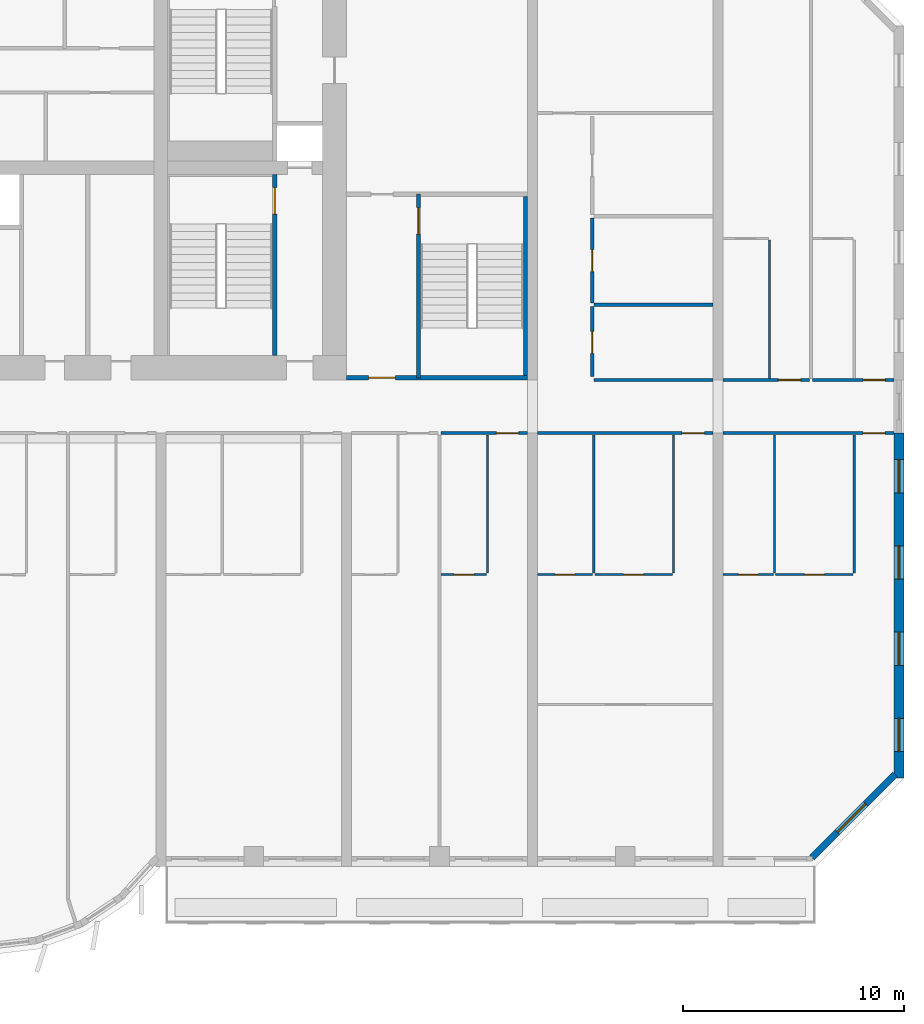
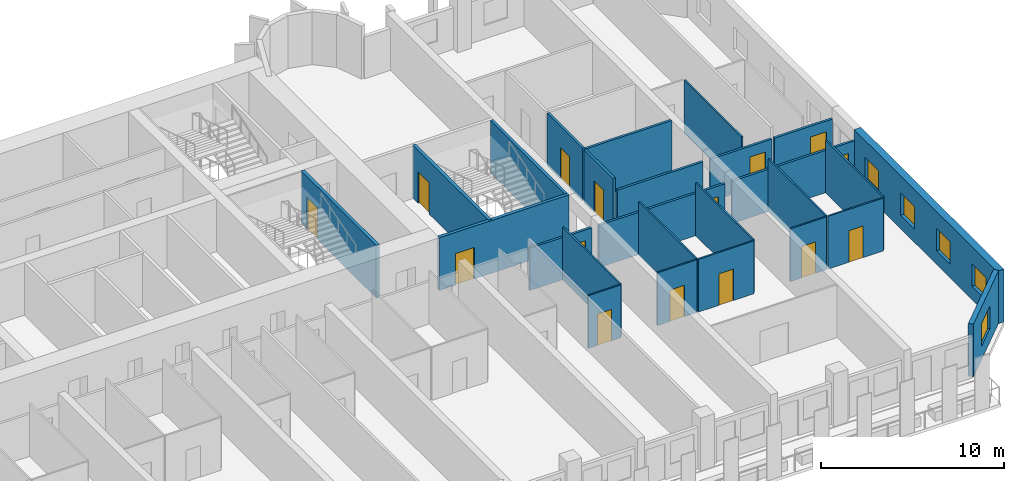
# One storey, part 9 of 15: 26 walls, 15 doors, 5 windows, 20 openings.
"""IFC4 building model written with IfcOpenShell, lengths in metres."""

from ifc_helpers import new_model, si_unit, direction, frame, frame_2d, origin, place, context, subcontext, project, spatial, rectangle, extrude, source, transform, mapped, material, layer, layer_set, type_object, element, fill, save


model = new_model("IFC4")

# Units and contexts
model_context = context("Model", 3, precision=1e-05, world=origin(), true_north=direction((0.0, 1.0)))
body_context = subcontext(model_context, "Body", "Model", "MODEL_VIEW")
ifc_project = project(units=[si_unit("LENGTHUNIT", "METRE"), si_unit("AREAUNIT", "SQUARE_METRE"), si_unit("VOLUMEUNIT", "CUBIC_METRE"), si_unit("PLANEANGLEUNIT", "RADIAN"), si_unit("MASSUNIT", "GRAM", prefix="KILO")], contexts=[model_context])

# Site, building, storey
site_placement = place(None, origin())
site = spatial("IfcSite", under=ifc_project, at=site_placement, CompositionType="ELEMENT")
building_placement = place(site_placement, origin())
building = spatial("IfcBuilding", under=site, at=building_placement, Name="Vanashikhar Sky Hotel", CompositionType="ELEMENT")
storey_placement = place(building_placement, frame((0.0, 0.0, 39.199951171875)))
storey = spatial("IfcBuildingStorey", under=building, at=storey_placement, Name="L08", CompositionType="ELEMENT", Elevation=39.199951171875)

# Wall, openings, windows
ifc_material_1 = material(Name="Concrete M80", Category="concrete")
ifc_layer_1 = layer(ifc_material_1, 0.449951171875)
ifc_layer_set_1 = layer_set([ifc_layer_1], Name="RC shear wall 450 Concrete M80")
wall_type_1 = type_object("IfcWallType", Name="RC shear wall 450 Concrete M80", PredefinedType="SHEAR", material=ifc_layer_set_1)
shared_shape_1 = source(origin(), body_context, "Body", "SweptSolid", [
    extrude(rectangle(XDim=15.60009765625, YDim=0.449951171875, at=frame_2d((7.800048828125, 0.0))), origin(), (0.0, 0.0, 1.0), 3.52001953125),
])
wall_1_placement = place(storey_placement, frame((100.574951171875, 4.0, 0.0), z_axis=(0.0, 0.0, 1.0), x_axis=(0.0, 1.0, 0.0)))
wall_1 = element("IfcWall", 1, at=wall_1_placement, inside=storey, type_object=wall_type_1, Name="CW-L08-XW13-1", PredefinedType="SHEAR", context=body_context, shape_type="MappedRepresentation", body=[
    mapped(shared_shape_1, transform((0.0, 0.0, 0.0), scale=1.0)),
])
shared_shape_2 = source(origin(), body_context, "Body", "SweptSolid", [
    extrude(rectangle(XDim=1.5, YDim=1.5, at=frame_2d((0.75, 0.75))), frame((0.0, 0.23486328125, 0.0), z_axis=(0.0, -1.0, 0.0), x_axis=(1.0, 0.0, 0.0)), (0.0, 0.0, 1.0), 0.469970703125),
])
opening_1_placement = place(wall_1_placement, frame((1.199951171875, 0.0, 0.89990234375)))
opening_1 = element("IfcOpeningElement", 2, at=opening_1_placement, cuts=wall_1, Name="Opening WN-1", PredefinedType="OPENING", context=body_context, shape_type="MappedRepresentation", body=[
    mapped(shared_shape_2, transform((0.0, 0.0, 0.0), scale=1.0)),
])
opening_2_placement = place(wall_1_placement, frame((5.10009765625, 0.0, 0.89990234375)))
opening_2 = element("IfcOpeningElement", 3, at=opening_2_placement, cuts=wall_1, Name="Opening WN-1", PredefinedType="OPENING", context=body_context, shape_type="MappedRepresentation", body=[
    mapped(shared_shape_2, transform((0.0, 0.0, 0.0), scale=1.0)),
])
opening_3_placement = place(wall_1_placement, frame((9.0, 0.0, 0.89990234375)))
opening_3 = element("IfcOpeningElement", 4, at=opening_3_placement, cuts=wall_1, Name="Opening WN-1", PredefinedType="OPENING", context=body_context, shape_type="MappedRepresentation", body=[
    mapped(shared_shape_2, transform((0.0, 0.0, 0.0), scale=1.0)),
])
opening_4_placement = place(wall_1_placement, frame((12.89990234375, 0.0, 0.89990234375)))
opening_4 = element("IfcOpeningElement", 5, at=opening_4_placement, cuts=wall_1, Name="Opening WN-1", PredefinedType="OPENING", context=body_context, shape_type="MappedRepresentation", body=[
    mapped(shared_shape_2, transform((0.0, 0.0, 0.0), scale=1.0)),
])
ifc_material_2 = material(Name="Glass", Category="glass")
window_type_1 = type_object("IfcWindowType", Name="Window 1500 x 1500", PartitioningType="SINGLE_PANEL", PredefinedType="WINDOW", material=ifc_material_2)
shared_shape_3 = source(origin(), body_context, "Body", "SweptSolid", [
    extrude(rectangle(XDim=1.5, YDim=1.5, at=frame_2d((0.75, 0.75))), frame((0.0, 0.030029296875, 0.0), z_axis=(0.0, -1.0, 0.0), x_axis=(1.0, 0.0, 0.0)), (0.0, 0.0, 1.0), 0.06005859375),
])
window_1_placement = place(opening_1_placement, origin())
window_1 = element("IfcWindow", 6, at=window_1_placement, inside=storey, type_object=window_type_1, Name="Window WN-1", OverallHeight=1.5, OverallWidth=1.5, PartitioningType="SINGLE_PANEL", PredefinedType="WINDOW", context=body_context, shape_type="MappedRepresentation", body=[
    mapped(shared_shape_3, transform((0.0, 0.0, 0.0), scale=1.0)),
])
fill(opening_1, window_1)
window_2_placement = place(opening_2_placement, origin())
window_2 = element("IfcWindow", 7, at=window_2_placement, inside=storey, type_object=window_type_1, Name="Window WN-1", OverallHeight=1.5, OverallWidth=1.5, PartitioningType="SINGLE_PANEL", PredefinedType="WINDOW", context=body_context, shape_type="MappedRepresentation", body=[
    mapped(shared_shape_3, transform((0.0, 0.0, 0.0), scale=1.0)),
])
fill(opening_2, window_2)
window_3_placement = place(opening_3_placement, origin())
window_3 = element("IfcWindow", 8, at=window_3_placement, inside=storey, type_object=window_type_1, Name="Window WN-1", OverallHeight=1.5, OverallWidth=1.5, PartitioningType="SINGLE_PANEL", PredefinedType="WINDOW", context=body_context, shape_type="MappedRepresentation", body=[
    mapped(shared_shape_3, transform((0.0, 0.0, 0.0), scale=1.0)),
])
fill(opening_3, window_3)
window_4_placement = place(opening_4_placement, origin())
window_4 = element("IfcWindow", 9, at=window_4_placement, inside=storey, type_object=window_type_1, Name="Window WN-1", OverallHeight=1.5, OverallWidth=1.5, PartitioningType="SINGLE_PANEL", PredefinedType="WINDOW", context=body_context, shape_type="MappedRepresentation", body=[
    mapped(shared_shape_3, transform((0.0, 0.0, 0.0), scale=1.0)),
])
fill(opening_4, window_4)

# Wall, opening, window
ifc_material_3 = material(Name="Concrete M50", Category="concrete")
ifc_layer_2 = layer(ifc_material_3, 0.300048828125)
ifc_layer_set_2 = layer_set([ifc_layer_2], Name="Lobe wall 300")
wall_type_2 = type_object("IfcWallType", Name="Lobe wall 300", PredefinedType="SOLIDWALL", material=ifc_layer_set_2)
shared_shape_4 = source(origin(), body_context, "Body", "SweptSolid", [
    extrude(rectangle(XDim=5.32568359375, YDim=0.300048828125, at=frame_2d((2.662841796875, 0.0))), origin(), (0.0, 0.0, 1.0), 3.52001953125),
])
wall_2_placement = place(storey_placement, frame((96.63427734375, 0.39990234375, 0.0), z_axis=(0.0, 0.0, 1.0), x_axis=(0.707083859269, 0.707129702361, 0.0)))
wall_2 = element("IfcWall", 10, at=wall_2_placement, inside=storey, type_object=wall_type_2, Name="Corner wall", PredefinedType="SOLIDWALL", context=body_context, shape_type="MappedRepresentation", body=[
    mapped(shared_shape_4, transform((0.0, 0.0, 0.0), scale=1.0)),
])
shared_shape_5 = source(origin(), body_context, "Body", "SweptSolid", [
    extrude(rectangle(XDim=1.800048828125, YDim=1.5, at=frame_2d((0.89990234375, 0.75))), frame((0.0, 0.16015625, 0.0), z_axis=(0.0, -1.0, 0.0), x_axis=(1.0, 0.0, 0.0)), (0.0, 0.0, 1.0), 0.320068359375),
])
opening_5_placement = place(wall_2_placement, frame((1.636474609375, 0.0, 0.89990234375)))
opening_5 = element("IfcOpeningElement", 11, at=opening_5_placement, cuts=wall_2, Name="Opening WN-4", PredefinedType="OPENING", context=body_context, shape_type="MappedRepresentation", body=[
    mapped(shared_shape_5, transform((0.0, 0.0, 0.0), scale=1.0)),
])
window_type_2 = type_object("IfcWindowType", Name="Corner window 1800 x 1500", PartitioningType="SINGLE_PANEL", PredefinedType="WINDOW", material=ifc_material_2)
shared_shape_6 = source(origin(), body_context, "Body", "SweptSolid", [
    extrude(rectangle(XDim=1.800048828125, YDim=1.5, at=frame_2d((0.89990234375, 0.75))), frame((0.0, 0.030029296875, 0.0), z_axis=(0.0, -1.0, 0.0), x_axis=(1.0, 0.0, 0.0)), (0.0, 0.0, 1.0), 0.06005859375),
])
window_5_placement = place(opening_5_placement, origin())
window_5 = element("IfcWindow", 12, at=window_5_placement, inside=storey, type_object=window_type_2, Name="Window WN-4", OverallHeight=1.5, OverallWidth=1.800048828125, PartitioningType="SINGLE_PANEL", PredefinedType="WINDOW", context=body_context, shape_type="MappedRepresentation", body=[
    mapped(shared_shape_6, transform((0.0, 0.0, 0.0), scale=1.0)),
])
fill(opening_5, window_5)

# Wall, opening, door
ifc_layer_3 = layer(ifc_material_3, 0.199951171875)
ifc_layer_set_3 = layer_set([ifc_layer_3], Name="Stair wall 200")
wall_type_3 = type_object("IfcWallType", Name="Stair wall 200", PredefinedType="SOLIDWALL", material=ifc_layer_set_3)
shared_shape_7 = source(origin(), body_context, "Body", "SweptSolid", [
    extrude(rectangle(XDim=8.199951171875, YDim=0.199951171875, at=frame_2d((4.10009765625, 0.0))), origin(), (0.0, 0.0, 1.0), 3.52001953125),
])
wall_3_placement = place(storey_placement, frame((72.35009765625, 23.10009765625, 0.0), z_axis=(0.0, 0.0, 1.0), x_axis=(0.0, 1.0, 0.0)))
wall_3 = element("IfcWall", 13, at=wall_3_placement, inside=storey, type_object=wall_type_3, Name="Stair wall 200", PredefinedType="SOLIDWALL", context=body_context, shape_type="MappedRepresentation", body=[
    mapped(shared_shape_7, transform((0.0, 0.0, 0.0), scale=1.0)),
])
shared_shape_8 = source(origin(), body_context, "Body", "SweptSolid", [
    extrude(rectangle(XDim=1.199951171875, YDim=2.10009765625, at=frame_2d((0.60009765625, 1.050048828125))), frame((0.0, 0.10986328125, 0.0), z_axis=(0.0, -1.0, 0.0), x_axis=(1.0, 0.0, 0.0)), (0.0, 0.0, 1.0), 0.219970703125),
])
opening_6_placement = place(wall_3_placement, frame((6.39990234375, 0.0, 0.0)))
opening_6 = element("IfcOpeningElement", 14, at=opening_6_placement, cuts=wall_3, Name="Opening DC-1", PredefinedType="OPENING", context=body_context, shape_type="MappedRepresentation", body=[
    mapped(shared_shape_8, transform((0.0, 0.0, 0.0), scale=1.0)),
])
ifc_material_4 = material(Name="Steel", Category="steel")
door_type_1 = type_object("IfcDoorType", Name="Stair door 1200 FD120", OperationType="NOTDEFINED", PredefinedType="DOOR", material=ifc_material_4)
shared_shape_9 = source(origin(), body_context, "Body", "SweptSolid", [
    extrude(rectangle(XDim=1.199951171875, YDim=2.10009765625, at=frame_2d((0.60009765625, 1.050048828125))), frame((0.0, 0.02490234375, 0.0), z_axis=(0.0, -1.0, 0.0), x_axis=(1.0, 0.0, 0.0)), (0.0, 0.0, 1.0), 0.050048828125),
])
door_1_placement = place(opening_6_placement, origin())
door_1 = element("IfcDoor", 15, at=door_1_placement, inside=storey, type_object=door_type_1, Name="Stair door 1200 FD120", OperationType="SINGLE_SWING_LEFT", OverallHeight=2.10009765625, OverallWidth=1.199951171875, PredefinedType="DOOR", context=body_context, shape_type="MappedRepresentation", body=[
    mapped(shared_shape_9, transform((0.0, 0.0, 0.0), scale=1.0)),
])
fill(opening_6, door_1)

shared_shape_10 = source(origin(), body_context, "Body", "SweptSolid", [
    extrude(rectangle(XDim=8.2998046875, YDim=0.199951171875, at=frame_2d((4.14990234375, 0.0))), origin(), (0.0, 0.0, 1.0), 3.52001953125),
])
wall_4_placement = place(storey_placement, frame((78.85009765625, 22.10009765625, 0.0), z_axis=(0.0, 0.0, 1.0), x_axis=(0.0, 1.0, 0.0)))
wall_4 = element("IfcWall", 16, at=wall_4_placement, inside=storey, type_object=wall_type_3, Name="Stair wall 200", PredefinedType="SOLIDWALL", context=body_context, shape_type="MappedRepresentation", body=[
    mapped(shared_shape_10, transform((0.0, 0.0, 0.0), scale=1.0)),
])
opening_7_placement = place(wall_4_placement, frame((6.5, 0.0, 0.0)))
opening_7 = element("IfcOpeningElement", 17, at=opening_7_placement, cuts=wall_4, Name="Opening DC-1", PredefinedType="OPENING", context=body_context, shape_type="MappedRepresentation", body=[
    mapped(shared_shape_8, transform((0.0, 0.0, 0.0), scale=1.0)),
])
door_2_placement = place(opening_7_placement, origin())
door_2 = element("IfcDoor", 18, at=door_2_placement, inside=storey, type_object=door_type_1, Name="Stair door 1200 FD120", OperationType="SINGLE_SWING_RIGHT", OverallHeight=2.10009765625, OverallWidth=1.199951171875, PredefinedType="DOOR", context=body_context, shape_type="MappedRepresentation", body=[
    mapped(shared_shape_9, transform((0.0, 0.0, 0.0), scale=1.0)),
])
fill(opening_7, door_2)

shared_shape_11 = source(origin(), body_context, "Body", "SweptSolid", [
    extrude(rectangle(XDim=8.1748046875, YDim=0.199951171875, at=frame_2d((4.08740234375, 0.0))), origin(), (0.0, 0.0, 1.0), 3.52001953125),
])
wall_5_placement = place(storey_placement, frame((83.77490234375, 22.10009765625, 0.0), z_axis=(0.0, 0.0, 1.0), x_axis=(-1.0, 0.0, 0.0)))
wall_5 = element("IfcWall", 19, at=wall_5_placement, inside=storey, type_object=wall_type_3, Name="Stair wall 200", PredefinedType="SOLIDWALL", context=body_context, shape_type="MappedRepresentation", body=[
    mapped(shared_shape_11, transform((0.0, 0.0, 0.0), scale=1.0)),
])
opening_8_placement = place(wall_5_placement, frame((5.97509765625, 0.0, 0.0)))
opening_8 = element("IfcOpeningElement", 20, at=opening_8_placement, cuts=wall_5, Name="Opening DC-2", PredefinedType="OPENING", context=body_context, shape_type="MappedRepresentation", body=[
    mapped(shared_shape_8, transform((0.0, 0.0, 0.0), scale=1.0)),
])
door_type_2 = type_object("IfcDoorType", Name="Firefighting lobby door 1200 FD120", OperationType="NOTDEFINED", PredefinedType="DOOR", material=ifc_material_4)
door_3_placement = place(opening_8_placement, origin())
door_3 = element("IfcDoor", 21, at=door_3_placement, inside=storey, type_object=door_type_2, Name="Firefighting lobby door 1200 FD120", OperationType="SINGLE_SWING_RIGHT", OverallHeight=2.10009765625, OverallWidth=1.199951171875, PredefinedType="DOOR", context=body_context, shape_type="MappedRepresentation", body=[
    mapped(shared_shape_9, transform((0.0, 0.0, 0.0), scale=1.0)),
])
fill(opening_8, door_3)

# Wall
ifc_layer_4 = layer(ifc_material_3, 0.175048828125)
ifc_layer_set_4 = layer_set([ifc_layer_4], Name="Stair infill wall 175")
wall_type_4 = type_object("IfcWallType", Name="Stair infill wall 175", PredefinedType="SOLIDWALL", material=ifc_layer_set_4)
shared_shape_12 = source(origin(), body_context, "Body", "SweptSolid", [
    extrude(rectangle(XDim=8.10009765625, YDim=0.175048828125, at=frame_2d((4.050048828125, 0.0))), origin(), (0.0, 0.0, 1.0), 3.52001953125),
])
wall_6_placement = place(storey_placement, frame((83.68798828125, 22.199951171875, 0.0), z_axis=(0.0, 0.0, 1.0), x_axis=(0.0, 1.0, 0.0)))
element("IfcWall", 22, at=wall_6_placement, inside=storey, type_object=wall_type_4, Name="Stair infill wall 175", PredefinedType="SOLIDWALL", context=body_context, shape_type="MappedRepresentation", body=[
    mapped(shared_shape_12, transform((0.0, 0.0, 0.0), scale=1.0)),
])

# Wall, opening, door
ifc_material_5 = material(Name="Gypsum plasterboard partition")
ifc_layer_5 = layer(ifc_material_5, 0.14990234375)
ifc_layer_set_5 = layer_set([ifc_layer_5], Name="Corridor and demising partition 150")
wall_type_5 = type_object("IfcWallType", Name="Corridor and demising partition 150", PredefinedType="PARTITIONING", material=ifc_layer_set_5)
shared_shape_13 = source(origin(), body_context, "Body", "SweptSolid", [
    extrude(rectangle(XDim=3.675048828125, YDim=0.14990234375, at=frame_2d((1.83740234375, 0.0))), origin(), (0.0, 0.0, 1.0), 2.820068359375),
])
wall_7_placement = place(storey_placement, frame((96.675048828125, 22.0, 0.0), z_axis=(0.0, 0.0, 1.0), x_axis=(1.0, 0.0, 0.0)))
wall_7 = element("IfcWall", 23, at=wall_7_placement, inside=storey, type_object=wall_type_5, Name="W-L08-PW094", PredefinedType="PARTITIONING", context=body_context, shape_type="MappedRepresentation", body=[
    mapped(shared_shape_13, transform((0.0, 0.0, 0.0), scale=1.0)),
])
shared_shape_14 = source(origin(), body_context, "Body", "SweptSolid", [
    extrude(rectangle(XDim=1.0, YDim=2.10009765625, at=frame_2d((0.5, 1.050048828125))), frame((0.0, 0.0849609375, 0.0), z_axis=(0.0, -1.0, 0.0), x_axis=(1.0, 0.0, 0.0)), (0.0, 0.0, 1.0), 0.169921875),
])
opening_9_placement = place(wall_7_placement, frame((2.27490234375, 0.0, 0.0)))
opening_9 = element("IfcOpeningElement", 24, at=opening_9_placement, cuts=wall_7, Name="Opening D-01", PredefinedType="OPENING", context=body_context, shape_type="MappedRepresentation", body=[
    mapped(shared_shape_14, transform((0.0, 0.0, 0.0), scale=1.0)),
])
ifc_material_6 = material(Name="Timber fire door", Category="wood")
door_type_3 = type_object("IfcDoorType", Name="Guest entry door 1000 FD30S", OperationType="NOTDEFINED", PredefinedType="DOOR", material=ifc_material_6)
shared_shape_15 = source(origin(), body_context, "Body", "SweptSolid", [
    extrude(rectangle(XDim=1.0, YDim=2.10009765625, at=frame_2d((0.5, 1.050048828125))), frame((0.0, 0.02490234375, 0.0), z_axis=(0.0, -1.0, 0.0), x_axis=(1.0, 0.0, 0.0)), (0.0, 0.0, 1.0), 0.050048828125),
])
door_4_placement = place(opening_9_placement, origin())
door_4 = element("IfcDoor", 25, at=door_4_placement, inside=storey, type_object=door_type_3, Name="D-L08-055", OperationType="SINGLE_SWING_RIGHT", OverallHeight=2.10009765625, OverallWidth=1.0, PredefinedType="DOOR", context=body_context, shape_type="MappedRepresentation", body=[
    mapped(shared_shape_15, transform((0.0, 0.0, 0.0), scale=1.0)),
])
fill(opening_9, door_4)

ifc_layer_6 = layer(ifc_material_5, 0.10009765625)
ifc_layer_set_6 = layer_set([ifc_layer_6], Name="Wet room partition 100")
wall_type_6 = type_object("IfcWallType", Name="Wet room partition 100", PredefinedType="PARTITIONING", material=ifc_layer_set_6)
shared_shape_16 = source(origin(), body_context, "Body", "SweptSolid", [
    extrude(rectangle(XDim=2.050048828125, YDim=0.10009765625, at=frame_2d((1.02490234375, 0.0))), origin(), (0.0, 0.0, 1.0), 3.52001953125),
])
wall_8_placement = place(storey_placement, frame((79.875, 13.199951171875, 0.0), z_axis=(0.0, 0.0, 1.0), x_axis=(1.0, 0.0, 0.0)))
wall_8 = element("IfcWall", 26, at=wall_8_placement, inside=storey, type_object=wall_type_6, Name="W-L08-PW054", PredefinedType="PARTITIONING", context=body_context, shape_type="MappedRepresentation", body=[
    mapped(shared_shape_16, transform((0.0, 0.0, 0.0), scale=1.0)),
])
shared_shape_17 = source(origin(), body_context, "Body", "SweptSolid", [
    extrude(rectangle(XDim=0.89990234375, YDim=2.10009765625, at=frame_2d((0.449951171875, 1.050048828125))), frame((0.0, 0.06005859375, 0.0), z_axis=(0.0, -1.0, 0.0), x_axis=(1.0, 0.0, 0.0)), (0.0, 0.0, 1.0), 0.1201171875),
])
opening_10_placement = place(wall_8_placement, frame((0.574951171875, 0.0, 0.0)))
opening_10 = element("IfcOpeningElement", 27, at=opening_10_placement, cuts=wall_8, Name="Opening D-02", PredefinedType="OPENING", context=body_context, shape_type="MappedRepresentation", body=[
    mapped(shared_shape_17, transform((0.0, 0.0, 0.0), scale=1.0)),
])
ifc_material_7 = material(Name="Timber door", Category="wood")
door_type_4 = type_object("IfcDoorType", Name="Internal door 900", OperationType="NOTDEFINED", PredefinedType="DOOR", material=ifc_material_7)
shared_shape_18 = source(origin(), body_context, "Body", "SweptSolid", [
    extrude(rectangle(XDim=0.89990234375, YDim=2.10009765625, at=frame_2d((0.449951171875, 1.050048828125))), frame((0.0, 0.02490234375, 0.0), z_axis=(0.0, -1.0, 0.0), x_axis=(1.0, 0.0, 0.0)), (0.0, 0.0, 1.0), 0.050048828125),
])
door_5_placement = place(opening_10_placement, origin())
door_5 = element("IfcDoor", 28, at=door_5_placement, inside=storey, type_object=door_type_4, Name="D-L08-032", OperationType="SINGLE_SWING_RIGHT", OverallHeight=2.10009765625, OverallWidth=0.89990234375, PredefinedType="DOOR", context=body_context, shape_type="MappedRepresentation", body=[
    mapped(shared_shape_18, transform((0.0, 0.0, 0.0), scale=1.0)),
])
fill(opening_10, door_5)

shared_shape_19 = source(origin(), body_context, "Body", "SweptSolid", [
    extrude(rectangle(XDim=3.89990234375, YDim=0.14990234375, at=frame_2d((1.949951171875, 0.0))), origin(), (0.0, 0.0, 1.0), 2.820068359375),
])
wall_9_placement = place(storey_placement, frame((79.875, 19.60009765625, 0.0), z_axis=(0.0, 0.0, 1.0), x_axis=(1.0, 0.0, 0.0)))
wall_9 = element("IfcWall", 29, at=wall_9_placement, inside=storey, type_object=wall_type_5, Name="W-L08-PW055", PredefinedType="PARTITIONING", context=body_context, shape_type="MappedRepresentation", body=[
    mapped(shared_shape_19, transform((0.0, 0.0, 0.0), scale=1.0)),
])
opening_11_placement = place(wall_9_placement, frame((2.5, 0.0, 0.0)))
opening_11 = element("IfcOpeningElement", 30, at=opening_11_placement, cuts=wall_9, Name="Opening D-01", PredefinedType="OPENING", context=body_context, shape_type="MappedRepresentation", body=[
    mapped(shared_shape_14, transform((0.0, 0.0, 0.0), scale=1.0)),
])
door_6_placement = place(opening_11_placement, origin())
door_6 = element("IfcDoor", 31, at=door_6_placement, inside=storey, type_object=door_type_3, Name="D-L08-033", OperationType="SINGLE_SWING_RIGHT", OverallHeight=2.10009765625, OverallWidth=1.0, PredefinedType="DOOR", context=body_context, shape_type="MappedRepresentation", body=[
    mapped(shared_shape_15, transform((0.0, 0.0, 0.0), scale=1.0)),
])
fill(opening_11, door_6)

wall_10_placement = place(storey_placement, frame((92.625, 22.0, 0.0), z_axis=(0.0, 0.0, 1.0), x_axis=(1.0, 0.0, 0.0)))
wall_10 = element("IfcWall", 32, at=wall_10_placement, inside=storey, type_object=wall_type_5, Name="W-L08-PW091", PredefinedType="PARTITIONING", context=body_context, shape_type="MappedRepresentation", body=[
    mapped(shared_shape_19, transform((0.0, 0.0, 0.0), scale=1.0)),
])
opening_12_placement = place(wall_10_placement, frame((2.5, 0.0, 0.0)))
opening_12 = element("IfcOpeningElement", 33, at=opening_12_placement, cuts=wall_10, Name="Opening D-01", PredefinedType="OPENING", context=body_context, shape_type="MappedRepresentation", body=[
    mapped(shared_shape_14, transform((0.0, 0.0, 0.0), scale=1.0)),
])
door_7_placement = place(opening_12_placement, origin())
door_7 = element("IfcDoor", 34, at=door_7_placement, inside=storey, type_object=door_type_3, Name="D-L08-053", OperationType="SINGLE_SWING_RIGHT", OverallHeight=2.10009765625, OverallWidth=1.0, PredefinedType="DOOR", context=body_context, shape_type="MappedRepresentation", body=[
    mapped(shared_shape_15, transform((0.0, 0.0, 0.0), scale=1.0)),
])
fill(opening_12, door_7)

shared_shape_20 = source(origin(), body_context, "Body", "SweptSolid", [
    extrude(rectangle(XDim=3.5, YDim=0.10009765625, at=frame_2d((1.75, 0.0))), origin(), (0.0, 0.0, 1.0), 3.52001953125),
])
wall_11_placement = place(storey_placement, frame((86.824951171875, 13.199951171875, 0.0), z_axis=(0.0, 0.0, 1.0), x_axis=(1.0, 0.0, 0.0)))
wall_11 = element("IfcWall", 35, at=wall_11_placement, inside=storey, type_object=wall_type_6, Name="W-L08-PW059", PredefinedType="PARTITIONING", context=body_context, shape_type="MappedRepresentation", body=[
    mapped(shared_shape_20, transform((0.0, 0.0, 0.0), scale=1.0)),
])
opening_13_placement = place(wall_11_placement, frame((1.300048828125, 0.0, 0.0)))
opening_13 = element("IfcOpeningElement", 36, at=opening_13_placement, cuts=wall_11, Name="Opening D-02", PredefinedType="OPENING", context=body_context, shape_type="MappedRepresentation", body=[
    mapped(shared_shape_17, transform((0.0, 0.0, 0.0), scale=1.0)),
])
door_8_placement = place(opening_13_placement, origin())
door_8 = element("IfcDoor", 37, at=door_8_placement, inside=storey, type_object=door_type_4, Name="D-L08-034", OperationType="SINGLE_SWING_RIGHT", OverallHeight=2.10009765625, OverallWidth=0.89990234375, PredefinedType="DOOR", context=body_context, shape_type="MappedRepresentation", body=[
    mapped(shared_shape_18, transform((0.0, 0.0, 0.0), scale=1.0)),
])
fill(opening_13, door_8)

wall_12_placement = place(storey_placement, frame((95.0, 13.199951171875, 0.0), z_axis=(0.0, 0.0, 1.0), x_axis=(1.0, 0.0, 0.0)))
wall_12 = element("IfcWall", 38, at=wall_12_placement, inside=storey, type_object=wall_type_6, Name="W-L08-PW065", PredefinedType="PARTITIONING", context=body_context, shape_type="MappedRepresentation", body=[
    mapped(shared_shape_20, transform((0.0, 0.0, 0.0), scale=1.0)),
])
opening_14_placement = place(wall_12_placement, frame((1.300048828125, 0.0, 0.0)))
opening_14 = element("IfcOpeningElement", 39, at=opening_14_placement, cuts=wall_12, Name="Opening D-02", PredefinedType="OPENING", context=body_context, shape_type="MappedRepresentation", body=[
    mapped(shared_shape_17, transform((0.0, 0.0, 0.0), scale=1.0)),
])
door_9_placement = place(opening_14_placement, origin())
door_9 = element("IfcDoor", 40, at=door_9_placement, inside=storey, type_object=door_type_4, Name="D-L08-038", OperationType="SINGLE_SWING_RIGHT", OverallHeight=2.10009765625, OverallWidth=0.89990234375, PredefinedType="DOOR", context=body_context, shape_type="MappedRepresentation", body=[
    mapped(shared_shape_18, transform((0.0, 0.0, 0.0), scale=1.0)),
])
fill(opening_14, door_9)

shared_shape_21 = source(origin(), body_context, "Body", "SweptSolid", [
    extrude(rectangle(XDim=2.27490234375, YDim=0.10009765625, at=frame_2d((1.137451171875, 0.0))), origin(), (0.0, 0.0, 1.0), 3.52001953125),
])
wall_13_placement = place(storey_placement, frame((92.625, 13.199951171875, 0.0), z_axis=(0.0, 0.0, 1.0), x_axis=(1.0, 0.0, 0.0)))
wall_13 = element("IfcWall", 41, at=wall_13_placement, inside=storey, type_object=wall_type_6, Name="W-L08-PW066", PredefinedType="PARTITIONING", context=body_context, shape_type="MappedRepresentation", body=[
    mapped(shared_shape_21, transform((0.0, 0.0, 0.0), scale=1.0)),
])
opening_15_placement = place(wall_13_placement, frame((0.68798828125, 0.0, 0.0)))
opening_15 = element("IfcOpeningElement", 42, at=opening_15_placement, cuts=wall_13, Name="Opening D-02", PredefinedType="OPENING", context=body_context, shape_type="MappedRepresentation", body=[
    mapped(shared_shape_17, transform((0.0, 0.0, 0.0), scale=1.0)),
])
door_10_placement = place(opening_15_placement, origin())
door_10 = element("IfcDoor", 43, at=door_10_placement, inside=storey, type_object=door_type_4, Name="D-L08-039", OperationType="SINGLE_SWING_RIGHT", OverallHeight=2.10009765625, OverallWidth=0.89990234375, PredefinedType="DOOR", context=body_context, shape_type="MappedRepresentation", body=[
    mapped(shared_shape_18, transform((0.0, 0.0, 0.0), scale=1.0)),
])
fill(opening_15, door_10)

shared_shape_22 = source(origin(), body_context, "Body", "SweptSolid", [
    extrude(rectangle(XDim=7.72509765625, YDim=0.14990234375, at=frame_2d((3.862548828125, 0.0))), origin(), (0.0, 0.0, 1.0), 2.820068359375),
])
wall_14_placement = place(storey_placement, frame((92.625, 19.60009765625, 0.0), z_axis=(0.0, 0.0, 1.0), x_axis=(1.0, 0.0, 0.0)))
wall_14 = element("IfcWall", 44, at=wall_14_placement, inside=storey, type_object=wall_type_5, Name="W-L08-PW067", PredefinedType="PARTITIONING", context=body_context, shape_type="MappedRepresentation", body=[
    mapped(shared_shape_22, transform((0.0, 0.0, 0.0), scale=1.0)),
])
opening_16_placement = place(wall_14_placement, frame((6.324951171875, 0.0, 0.0)))
opening_16 = element("IfcOpeningElement", 45, at=opening_16_placement, cuts=wall_14, Name="Opening D-01", PredefinedType="OPENING", context=body_context, shape_type="MappedRepresentation", body=[
    mapped(shared_shape_14, transform((0.0, 0.0, 0.0), scale=1.0)),
])
door_11_placement = place(opening_16_placement, origin())
door_11 = element("IfcDoor", 46, at=door_11_placement, inside=storey, type_object=door_type_3, Name="D-L08-040", OperationType="SINGLE_SWING_RIGHT", OverallHeight=2.10009765625, OverallWidth=1.0, PredefinedType="DOOR", context=body_context, shape_type="MappedRepresentation", body=[
    mapped(shared_shape_15, transform((0.0, 0.0, 0.0), scale=1.0)),
])
fill(opening_16, door_11)

# Walls
shared_shape_23 = source(origin(), body_context, "Body", "SweptSolid", [
    extrude(rectangle(XDim=5.400146484375, YDim=0.14990234375, at=frame_2d((2.7001953125, 0.0))), origin(), (0.0, 0.0, 1.0), 3.52001953125),
])
wall_15_placement = place(storey_placement, frame((86.77490234375, 25.39990234375, 0.0), z_axis=(0.0, 0.0, 1.0), x_axis=(1.0, 0.0, 0.0)))
element("IfcWall", 47, at=wall_15_placement, inside=storey, type_object=wall_type_5, Name="W-L08-PW084", PredefinedType="PARTITIONING", context=body_context, shape_type="MappedRepresentation", body=[
    mapped(shared_shape_23, transform((0.0, 0.0, 0.0), scale=1.0)),
])
shared_shape_24 = source(origin(), body_context, "Body", "SweptSolid", [
    extrude(rectangle(XDim=5.400146484375, YDim=0.14990234375, at=frame_2d((2.7001953125, 0.0))), origin(), (0.0, 0.0, 1.0), 2.820068359375),
])
wall_16_placement = place(storey_placement, frame((86.77490234375, 22.0, 0.0), z_axis=(0.0, 0.0, 1.0), x_axis=(1.0, 0.0, 0.0)))
element("IfcWall", 48, at=wall_16_placement, inside=storey, type_object=wall_type_5, Name="W-L08-PW082", PredefinedType="PARTITIONING", context=body_context, shape_type="MappedRepresentation", body=[
    mapped(shared_shape_24, transform((0.0, 0.0, 0.0), scale=1.0)),
])
shared_shape_25 = source(origin(), body_context, "Body", "SweptSolid", [
    extrude(rectangle(XDim=6.25, YDim=0.10009765625, at=frame_2d((3.125, 0.0))), origin(), (0.0, 0.0, 1.0), 3.52001953125),
])
for number, where, z_axis, x_axis, name in (
    (49, (81.97509765625, 13.27490234375, 0.0), (0.0, 0.0, 1.0), (0.0, 1.0, 0.0), "W-L08-PW053"),
    (50, (90.375, 13.27490234375, 0.0), (0.0, 0.0, 1.0), (0.0, 1.0, 0.0), "W-L08-PW057"),
    (51, (86.77490234375, 13.27490234375, 0.0), (0.0, 0.0, 1.0), (0.0, 1.0, 0.0), "W-L08-PW058"),
    (52, (98.550048828125, 13.27490234375, 0.0), (0.0, 0.0, 1.0), (0.0, 1.0, 0.0), "W-L08-PW063"),
    (53, (94.949951171875, 13.27490234375, 0.0), (0.0, 0.0, 1.0), (0.0, 1.0, 0.0), "W-L08-PW064"),
    (54, (94.72509765625, 22.074951171875, 0.0), (0.0, 0.0, 1.0), (0.0, 1.0, 0.0), "W-L08-PW089"),
):
    element("IfcWall", number, at=place(storey_placement, frame(where, z_axis=z_axis, x_axis=x_axis)), inside=storey, type_object=wall_type_6, Name=name, PredefinedType="PARTITIONING", context=body_context, shape_type="MappedRepresentation", body=[
        mapped(shared_shape_25, transform((0.0, 0.0, 0.0), scale=1.0)),
    ])

# Wall, opening, door
shared_shape_26 = source(origin(), body_context, "Body", "SweptSolid", [
    extrude(rectangle(XDim=2.5, YDim=0.10009765625, at=frame_2d((1.25, 0.0))), origin(), (0.0, 0.0, 1.0), 3.52001953125),
])
wall_17_placement = place(storey_placement, frame((84.22509765625, 13.199951171875, 0.0), z_axis=(0.0, 0.0, 1.0), x_axis=(1.0, 0.0, 0.0)))
wall_17 = element("IfcWall", 55, at=wall_17_placement, inside=storey, type_object=wall_type_6, Name="W-L08-PW060", PredefinedType="PARTITIONING", context=body_context, shape_type="MappedRepresentation", body=[
    mapped(shared_shape_26, transform((0.0, 0.0, 0.0), scale=1.0)),
])
opening_17_placement = place(wall_17_placement, frame((0.800048828125, 0.0, 0.0)))
opening_17 = element("IfcOpeningElement", 56, at=opening_17_placement, cuts=wall_17, Name="Opening D-02", PredefinedType="OPENING", context=body_context, shape_type="MappedRepresentation", body=[
    mapped(shared_shape_17, transform((0.0, 0.0, 0.0), scale=1.0)),
])
door_12_placement = place(opening_17_placement, origin())
door_12 = element("IfcDoor", 57, at=door_12_placement, inside=storey, type_object=door_type_4, Name="D-L08-035", OperationType="SINGLE_SWING_RIGHT", OverallHeight=2.10009765625, OverallWidth=0.89990234375, PredefinedType="DOOR", context=body_context, shape_type="MappedRepresentation", body=[
    mapped(shared_shape_18, transform((0.0, 0.0, 0.0), scale=1.0)),
])
fill(opening_17, door_12)

shared_shape_27 = source(origin(), body_context, "Body", "SweptSolid", [
    extrude(rectangle(XDim=7.949951171875, YDim=0.14990234375, at=frame_2d((3.97509765625, 0.0))), origin(), (0.0, 0.0, 1.0), 2.820068359375),
])
wall_18_placement = place(storey_placement, frame((84.22509765625, 19.60009765625, 0.0), z_axis=(0.0, 0.0, 1.0), x_axis=(1.0, 0.0, 0.0)))
wall_18 = element("IfcWall", 58, at=wall_18_placement, inside=storey, type_object=wall_type_5, Name="W-L08-PW062", PredefinedType="PARTITIONING", context=body_context, shape_type="MappedRepresentation", body=[
    mapped(shared_shape_27, transform((0.0, 0.0, 0.0), scale=1.0)),
])
opening_18_placement = place(wall_18_placement, frame((6.550048828125, 0.0, 0.0)))
opening_18 = element("IfcOpeningElement", 59, at=opening_18_placement, cuts=wall_18, Name="Opening D-01", PredefinedType="OPENING", context=body_context, shape_type="MappedRepresentation", body=[
    mapped(shared_shape_14, transform((0.0, 0.0, 0.0), scale=1.0)),
])
door_13_placement = place(opening_18_placement, origin())
door_13 = element("IfcDoor", 60, at=door_13_placement, inside=storey, type_object=door_type_3, Name="D-L08-037", OperationType="SINGLE_SWING_RIGHT", OverallHeight=2.10009765625, OverallWidth=1.0, PredefinedType="DOOR", context=body_context, shape_type="MappedRepresentation", body=[
    mapped(shared_shape_15, transform((0.0, 0.0, 0.0), scale=1.0)),
])
fill(opening_18, door_13)

shared_shape_28 = source(origin(), body_context, "Body", "SweptSolid", [
    extrude(rectangle(XDim=3.175048828125, YDim=0.14990234375, at=frame_2d((1.58740234375, 0.0))), origin(), (0.0, 0.0, 1.0), 3.52001953125),
])
wall_19_placement = place(storey_placement, frame((86.699951171875, 22.14990234375, 0.0), z_axis=(0.0, 0.0, 1.0), x_axis=(0.0, 1.0, 0.0)))
wall_19 = element("IfcWall", 61, at=wall_19_placement, inside=storey, type_object=wall_type_5, Name="W-L08-PW083", PredefinedType="PARTITIONING", context=body_context, shape_type="MappedRepresentation", body=[
    mapped(shared_shape_28, transform((0.0, 0.0, 0.0), scale=1.0)),
])
opening_19_placement = place(wall_19_placement, frame((1.050048828125, 0.0, 0.0)))
opening_19 = element("IfcOpeningElement", 62, at=opening_19_placement, cuts=wall_19, Name="Opening D-01", PredefinedType="OPENING", context=body_context, shape_type="MappedRepresentation", body=[
    mapped(shared_shape_14, transform((0.0, 0.0, 0.0), scale=1.0)),
])
door_14_placement = place(opening_19_placement, origin())
door_14 = element("IfcDoor", 63, at=door_14_placement, inside=storey, type_object=door_type_3, Name="D-L08-048", OperationType="SINGLE_SWING_LEFT", OverallHeight=2.10009765625, OverallWidth=1.0, PredefinedType="DOOR", context=body_context, shape_type="MappedRepresentation", body=[
    mapped(shared_shape_15, transform((0.0, 0.0, 0.0), scale=1.0)),
])
fill(opening_19, door_14)

shared_shape_29 = source(origin(), body_context, "Body", "SweptSolid", [
    extrude(rectangle(XDim=3.849853515625, YDim=0.14990234375, at=frame_2d((1.9248046875, 0.0))), origin(), (0.0, 0.0, 1.0), 3.52001953125),
])
wall_20_placement = place(storey_placement, frame((86.699951171875, 25.47509765625, 0.0), z_axis=(0.0, 0.0, 1.0), x_axis=(0.0, 1.0, 0.0)))
wall_20 = element("IfcWall", 64, at=wall_20_placement, inside=storey, type_object=wall_type_5, Name="W-L08-PW085", PredefinedType="PARTITIONING", context=body_context, shape_type="MappedRepresentation", body=[
    mapped(shared_shape_29, transform((0.0, 0.0, 0.0), scale=1.0)),
])
opening_20_placement = place(wall_20_placement, frame((1.425048828125, 0.0, 0.0)))
opening_20 = element("IfcOpeningElement", 65, at=opening_20_placement, cuts=wall_20, Name="Opening D-01", PredefinedType="OPENING", context=body_context, shape_type="MappedRepresentation", body=[
    mapped(shared_shape_14, transform((0.0, 0.0, 0.0), scale=1.0)),
])
door_15_placement = place(opening_20_placement, origin())
door_15 = element("IfcDoor", 66, at=door_15_placement, inside=storey, type_object=door_type_3, Name="D-L08-049", OperationType="SINGLE_SWING_LEFT", OverallHeight=2.10009765625, OverallWidth=1.0, PredefinedType="DOOR", context=body_context, shape_type="MappedRepresentation", body=[
    mapped(shared_shape_15, transform((0.0, 0.0, 0.0), scale=1.0)),
])
fill(opening_20, door_15)

save(model, "model.ifc")
